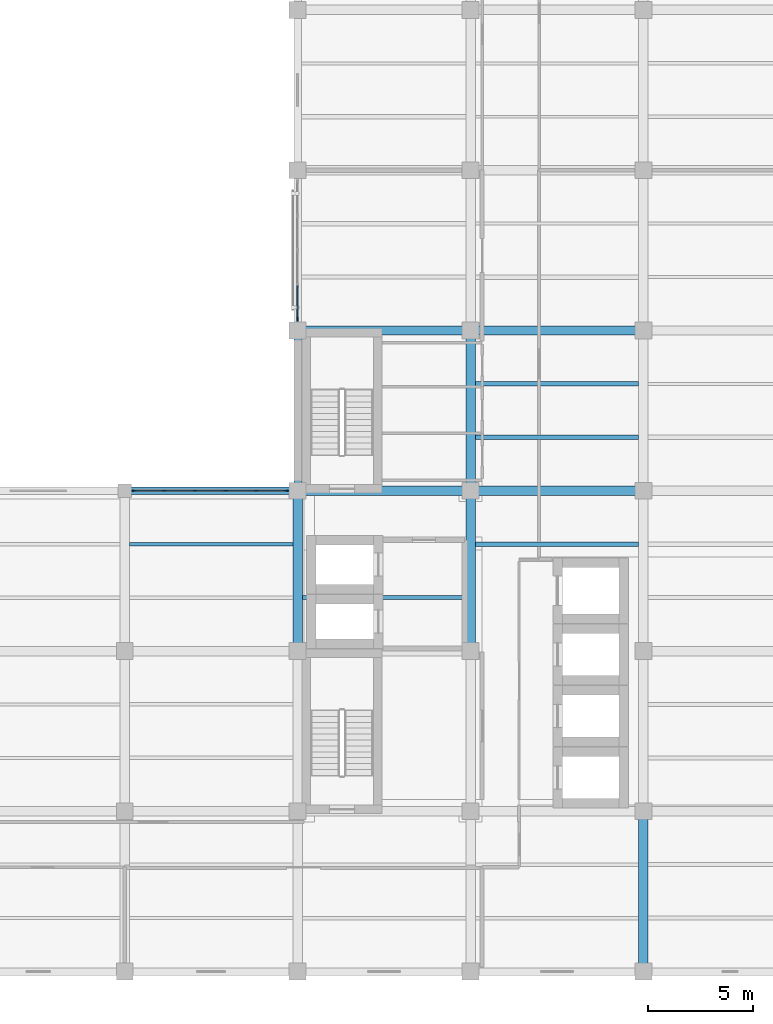
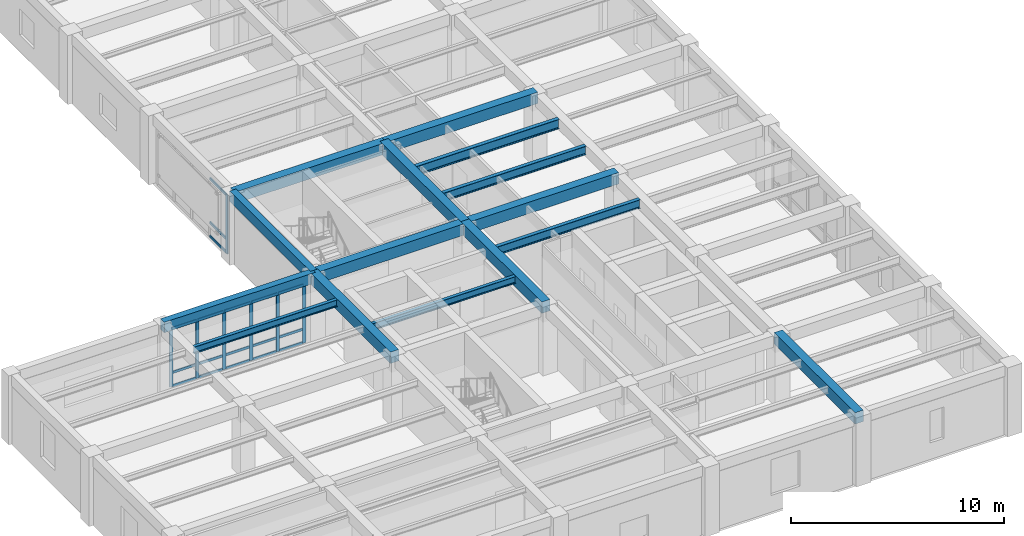
# One storey, part 2 of 13: 25 members, 15 beams, 2 elements without a shape of their own.
"""IFC4 building model written with IfcOpenShell, lengths in metres."""

import ifcopenshell
import ifcopenshell.guid

model = None  # the IFC model being written
_history = None  # IfcOwnerHistory: only IFC2X3 demands one
_inside = {}  # id of a spatial element -> (the spatial element, [elements in it])
_under = {}  # id of a project, library or spatial element -> (it, [spatial elements below it])
_declared = {}  # id of a project -> (the project, [libraries it declares])
_typed = {}  # id of a type object -> (the type object, [elements of that type])
_made_of = {}  # id of a material, layer set ... -> (it, [elements and type objects made of it])


def new_model(schema):
    """Start an empty IFC model of exactly this schema.

    Asked for "IFC4X3", IfcOpenShell would pick the latest addendum, in which some entities
    have other attributes; the version numbers below select the first issue.
    IFC2X3 requires an IfcOwnerHistory on every rooted entity: one is made here for all.
    """
    global model, _history
    if schema == "IFC4X3":
        model = ifcopenshell.file(schema_version=(4, 3, 0, 0))
    else:
        model = ifcopenshell.file(schema=schema)
    _inside.clear()
    _under.clear()
    _declared.clear()
    _typed.clear()
    _made_of.clear()
    _history = None
    if model.schema == "IFC2X3":
        org = make("IfcOrganization", Name="unknown")
        user = make(
            "IfcPersonAndOrganization",
            ThePerson=make("IfcPerson", FamilyName="unknown"),
            TheOrganization=org,
        )
        app = make(
            "IfcApplication",
            ApplicationDeveloper=org,
            Version="unknown",
            ApplicationFullName="unknown",
            ApplicationIdentifier="unknown",
        )
        _history = make(
            "IfcOwnerHistory",
            OwningUser=user,
            OwningApplication=app,
            ChangeAction="ADDED",
            CreationDate=0,
        )
    return model


def make(cls, **values):
    """One entity of the class cls with the attributes given. An attribute that is None is left unset."""
    return model.create_entity(
        cls, **{name: value for name, value in values.items() if value is not None}
    )


def rooted(cls, **values):
    """An entity with a GlobalId (a new one), such as an element, a storey or a relation."""
    return make(cls, GlobalId=ifcopenshell.guid.new(), OwnerHistory=_history, **values)


def si_unit(unit_type, name, prefix=None):
    """IfcSIUnit, for example si_unit("LENGTHUNIT", "METRE", prefix="MILLI")."""
    return make("IfcSIUnit", UnitType=unit_type, Prefix=prefix, Name=name)


def assignment(units):
    """IfcUnitAssignment: the units of a project."""
    return None if units is None else make("IfcUnitAssignment", Units=units)


def point(xyz):
    """IfcCartesianPoint."""
    return None if xyz is None else make("IfcCartesianPoint", Coordinates=xyz)


def direction(xyz):
    """IfcDirection."""
    return None if xyz is None else make("IfcDirection", DirectionRatios=xyz)


def frame(location, z_axis=None, x_axis=None):
    """IfcAxis2Placement3D, a coordinate frame: its origin and axes. An axis left out is left unset."""
    return make(
        "IfcAxis2Placement3D",
        Location=point(location),
        Axis=direction(z_axis),
        RefDirection=direction(x_axis),
    )


def frame_2d(location, x_axis=None):
    """IfcAxis2Placement2D, a coordinate frame in the plane: its origin and x axis."""
    return make(
        "IfcAxis2Placement2D", Location=point(location), RefDirection=direction(x_axis)
    )


def origin():
    """The frame at (0, 0, 0) with its axes left unset."""
    return frame((0.0, 0.0, 0.0))


def origin_2d():
    """The frame at (0, 0) in the plane with its x axis left unset."""
    return frame_2d((0.0, 0.0))


def place(relative_to, where):
    """IfcLocalPlacement: puts the frame where relative to a parent placement (None: the world)."""
    return make(
        "IfcLocalPlacement", PlacementRelTo=relative_to, RelativePlacement=where
    )


def context(
    kind, dimensions, precision=None, world=None, true_north=None, identifier=None
):
    """IfcGeometricRepresentationContext, for example the 3D "Model" context."""
    return make(
        "IfcGeometricRepresentationContext",
        ContextIdentifier=identifier,
        ContextType=kind,
        CoordinateSpaceDimension=dimensions,
        Precision=precision,
        WorldCoordinateSystem=world,
        TrueNorth=true_north,
    )


def subcontext(parent, identifier, kind, view, scale=None):
    """IfcGeometricRepresentationSubContext, for example "Body" below "Model"."""
    return make(
        "IfcGeometricRepresentationSubContext",
        ContextIdentifier=identifier,
        ContextType=kind,
        ParentContext=parent,
        TargetScale=scale,
        TargetView=view,
    )


def project(units=None, contexts=None):
    """IfcProject with its units and contexts."""
    return rooted(
        "IfcProject",
        Name="project",
        RepresentationContexts=contexts,
        UnitsInContext=assignment(units),
    )


def spatial(cls, under=None, at=None, **own):
    """A site, building, storey or space (cls), placed at a placement, below another one or the project."""
    s = rooted(cls, ObjectPlacement=at, **own)
    if under is not None:
        _under.setdefault(under.id(), (under, []))[1].append(s)
    return s


def profile(cls, at=None, kind="AREA", **sizes):
    """A parametric profile (cls). Its sizes go by their IFC names, for example OverallWidth=200.0."""
    return make(cls, ProfileType=kind, Position=at, **sizes)


def rectangle(**sizes):
    """IfcRectangleProfileDef."""
    return profile("IfcRectangleProfileDef", **sizes)


def i_section(**sizes):
    """IfcIShapeProfileDef."""
    return profile("IfcIShapeProfileDef", **sizes)


def extrude(swept, where, along, depth):
    """IfcExtrudedAreaSolid: the profile swept, set in the frame where, extruded along a direction by depth."""
    return make(
        "IfcExtrudedAreaSolid",
        SweptArea=swept,
        Position=where,
        ExtrudedDirection=direction(along),
        Depth=depth,
    )


def shape(context_of_items, identifier, shape_type, items):
    """IfcShapeRepresentation: the items that make up one representation, for example the "Body"."""
    return make(
        "IfcShapeRepresentation",
        ContextOfItems=context_of_items,
        RepresentationIdentifier=identifier,
        RepresentationType=shape_type,
        Items=items,
    )


def material(Name=None, Category=None):
    """IfcMaterial."""
    return make("IfcMaterial", Name=Name, Category=Category)


def material_profile(
    of_material, cross_section, Name=None, Category=None, Priority=None
):
    """IfcMaterialProfile: a cross section and its material."""
    return make(
        "IfcMaterialProfile",
        Name=Name,
        Material=of_material,
        Profile=cross_section,
        Priority=Priority,
        Category=Category,
    )


def profile_set(profiles, Name=None, composite=None):
    """IfcMaterialProfileSet."""
    return make(
        "IfcMaterialProfileSet",
        Name=Name,
        MaterialProfiles=profiles,
        CompositeProfile=composite,
    )


def made_of(thing, what):
    """Note that an element or type object is made of a material, layer set ...; save() writes the relation."""
    if what is not None:
        _made_of.setdefault(what.id(), (what, []))[1].append(thing)
    return thing


def type_object(cls, material=None, **own):
    """A type object (cls), such as IfcWallType, which elements share."""
    return made_of(rooted(cls, **own), material)


def element(
    cls,
    number,
    at=None,
    inside=None,
    cuts=None,
    type_object=None,
    material=None,
    context=None,
    identifier="Body",
    shape_type=None,
    held_by="IfcProductDefinitionShape",
    body=None,
    shapes=None,
    **own,
):
    """One element of the class cls, such as IfcWall. Its Tag is "e" and its number.

    at: its placement. inside: the storey or other place that contains it. cuts: it is an
    opening in that element (IfcRelVoidsElement). A single representation is given by context,
    identifier, shape_type and body (its items); several are given by shapes. held_by: the class
    of the entity that holds the representations. save() writes the other relations.
    """
    e = rooted(cls, Tag="e%d" % number, ObjectPlacement=at, **own)
    if body is not None:
        shapes = [shape(context, identifier, shape_type, body)]
    if shapes is not None:
        e.Representation = make(held_by, Representations=shapes)
    if inside is not None:
        _inside.setdefault(inside.id(), (inside, []))[1].append(e)
    if cuts is not None:
        rooted(
            "IfcRelVoidsElement", RelatingBuildingElement=cuts, RelatedOpeningElement=e
        )
    if type_object is not None:
        _typed.setdefault(type_object.id(), (type_object, []))[1].append(e)
    return made_of(e, material)


def aggregate(whole, parts):
    """IfcRelAggregates: a whole, such as a stair, and the parts it consists of."""
    return rooted("IfcRelAggregates", RelatingObject=whole, RelatedObjects=parts)


def save(model, path):
    """Write the relations noted so far, then the file.

    IfcRelAggregates (storeys below a building ...), IfcRelContainedInSpatialStructure (elements
    in a storey), IfcRelDefinesByType, IfcRelAssociatesMaterial and IfcRelDeclares: one each for
    every whole, place, type object, material and project.
    """
    for whole, parts in _under.values():
        aggregate(whole, parts)
    for where, things in _inside.values():
        rooted(
            "IfcRelContainedInSpatialStructure",
            RelatedElements=things,
            RelatingStructure=where,
        )
    for kind, things in _typed.values():
        rooted("IfcRelDefinesByType", RelatedObjects=things, RelatingType=kind)
    for what, things in _made_of.values():
        rooted("IfcRelAssociatesMaterial", RelatedObjects=things, RelatingMaterial=what)
    for by, libraries in _declared.values():
        rooted("IfcRelDeclares", RelatingContext=by, RelatedDefinitions=libraries)
    model.write(path)


model = new_model("IFC4")

# Units and contexts
model_context = context("Model", 3, precision=1e-05, world=origin(), true_north=direction((0.0, 1.0)))
body_context = subcontext(model_context, "Body", "Model", "MODEL_VIEW")
ifc_project = project(units=[si_unit("LENGTHUNIT", "METRE"), si_unit("AREAUNIT", "SQUARE_METRE"), si_unit("VOLUMEUNIT", "CUBIC_METRE"), si_unit("PLANEANGLEUNIT", "RADIAN"), si_unit("MASSUNIT", "GRAM", prefix="KILO")], contexts=[model_context])

# Site, building, storey
site_placement = place(None, origin())
site = spatial("IfcSite", under=ifc_project, at=site_placement, CompositionType="ELEMENT")
building_placement = place(site_placement, origin())
building = spatial("IfcBuilding", under=site, at=building_placement, Name="Qandaris Square Conservatory and Botanical Centre", CompositionType="ELEMENT")
storey_placement = place(building_placement, frame((0.0, 0.0, 45.0)))
storey = spatial("IfcBuildingStorey", under=building, at=storey_placement, Name="L10", CompositionType="ELEMENT", Elevation=45.0)

# Beams
ifc_material_1 = material(Name="Steel S355", Category="steel")
ifc_material_profile_1 = material_profile(ifc_material_1, i_section(OverallWidth=0.199951171875, OverallDepth=0.5, WebThickness=0.01025390625, FlangeThickness=0.01611328125, FilletRadius=0.02099609375, at=origin_2d()), Name="IPE 500")
ifc_profile_set_1 = profile_set([ifc_material_profile_1], Name="Steel S355")
beam_type_1 = type_object("IfcBeamType", Name="Composite Gallery Joist IPE 500", PredefinedType="JOIST", material=ifc_profile_set_1)
for number, where, z_axis, x_axis, name in (
    (1, (147.625, 36.86669921875, 3.68994140625), (1.0, 0.0, 0.0), (0.0, 1.0, 0.0), "L10 Composite Joist 2520"),
    (2, (147.625, 41.933349609375, 3.68994140625), (1.0, 0.0, 0.0), (0.0, 1.0, 0.0), "L10 Composite Joist 2521"),
):
    element("IfcBeam", number, at=place(storey_placement, frame(where, z_axis=z_axis, x_axis=x_axis)), inside=storey, type_object=beam_type_1, Name=name, PredefinedType="JOIST", context=body_context, shape_type="SweptSolid", body=[
        extrude(i_section(OverallWidth=0.199951171875, OverallDepth=0.5, WebThickness=0.01025390625, FlangeThickness=0.01611328125, FilletRadius=0.02099609375, at=origin_2d()), origin(), (0.0, 0.0, 1.0), 7.75),
    ])
ifc_material_profile_2 = material_profile(ifc_material_1, i_section(OverallWidth=0.179931640625, OverallDepth=0.39990234375, WebThickness=0.008544921875, FlangeThickness=0.013427734375, FilletRadius=0.02099609375, at=origin_2d()), Name="IPE 400")
ifc_profile_set_2 = profile_set([ifc_material_profile_2], Name="Steel S355")
beam_type_2 = type_object("IfcBeamType", Name="Composite Plinth Joist IPE 400", PredefinedType="JOIST", material=ifc_profile_set_2)
for number, where, z_axis, x_axis, name in (
    (3, (131.22509765625, 36.86669921875, 3.739990234375), (1.0, 0.0, 0.0), (0.0, 1.0, 0.0), "L10 Composite Joist 2508"),
    (4, (139.425048828125, 34.333251953125, 3.739990234375), (1.0, 0.0, 0.0), (0.0, 1.0, 0.0), "L10 Composite Joist 2511"),
):
    element("IfcBeam", number, at=place(storey_placement, frame(where, z_axis=z_axis, x_axis=x_axis)), inside=storey, type_object=beam_type_2, Name=name, PredefinedType="JOIST", context=body_context, shape_type="SweptSolid", body=[
        extrude(i_section(OverallWidth=0.179931640625, OverallDepth=0.39990234375, WebThickness=0.008544921875, FlangeThickness=0.013427734375, FilletRadius=0.02099609375, at=origin_2d()), origin(), (0.0, 0.0, 1.0), 7.75),
    ])

# Curtain wall, member
ifc_material_2 = material(Name="Anodised Aluminium", Category="aluminium")
curtain_wall_type_1 = type_object("IfcCurtainWallType", Name="Unitised Curtain Wall CW-4-660x335", PredefinedType="USERDEFINED", material=ifc_material_2)
curtain_wall_1_placement = place(storey_placement, origin())
curtain_wall_1 = element("IfcCurtainWall", 5, at=curtain_wall_1_placement, inside=storey, type_object=curtain_wall_type_1, Name="Curtain Wall CW-TWR-L10-4-3", ObjectType="GLAZED CURTAIN WALL", PredefinedType="USERDEFINED")
ifc_material_profile_3 = material_profile(ifc_material_2, rectangle(XDim=0.06494140625, YDim=0.179931640625, at=origin_2d()), Name="ALU-MUL 65x180")
ifc_profile_set_3 = profile_set([ifc_material_profile_3], Name="Anodised Aluminium")
member_type_1 = type_object("IfcMemberType", Name="Curtain Wall Mullion 65x180", PredefinedType="MULLION", material=ifc_profile_set_3)
member_1_placement = place(storey_placement, frame((139.199951171875, 47.532470703125, 0.0), z_axis=(0.0, 0.0, 1.0), x_axis=(1.0, 0.0, 0.0)))
member_1 = element("IfcMember", 6, at=member_1_placement, type_object=member_type_1, Name="CW-4-660x335 mullion 5", PredefinedType="MULLION", context=body_context, shape_type="SweptSolid", body=[
    extrude(rectangle(XDim=0.06494140625, YDim=0.179931640625, at=origin_2d()), origin(), (0.0, 0.0, 1.0), 3.35009765625),
])

# Curtain wall, members
curtain_wall_type_2 = type_object("IfcCurtainWallType", Name="Unitised Curtain Wall CW-4-727x335", PredefinedType="USERDEFINED", material=ifc_material_2)
curtain_wall_2_placement = place(storey_placement, origin())
curtain_wall_2 = element("IfcCurtainWall", 7, at=curtain_wall_2_placement, inside=storey, type_object=curtain_wall_type_2, Name="Curtain Wall CW-TWR-L10-5-1", ObjectType="GLAZED CURTAIN WALL", PredefinedType="USERDEFINED")
member_2_placement = place(storey_placement, frame((138.66748046875, 39.39990234375, 0.0), z_axis=(0.0, 0.0, 1.0), x_axis=(0.0, -1.0, 0.0)))
member_2 = element("IfcMember", 8, at=member_2_placement, type_object=member_type_1, Name="CW-4-727x335 mullion 1", PredefinedType="MULLION", context=body_context, shape_type="SweptSolid", body=[
    extrude(rectangle(XDim=0.06494140625, YDim=0.179931640625, at=origin_2d()), origin(), (0.0, 0.0, 1.0), 3.35009765625),
])
member_3_placement = place(storey_placement, frame((137.2451171875, 39.39990234375, 0.0), z_axis=(0.0, 0.0, 1.0), x_axis=(0.0, -1.0, 0.0)))
member_3 = element("IfcMember", 9, at=member_3_placement, type_object=member_type_1, Name="CW-4-727x335 mullion 2", PredefinedType="MULLION", context=body_context, shape_type="SweptSolid", body=[
    extrude(rectangle(XDim=0.06494140625, YDim=0.179931640625, at=origin_2d()), origin(), (0.0, 0.0, 1.0), 3.35009765625),
])
member_4_placement = place(storey_placement, frame((135.7900390625, 39.39990234375, 0.0), z_axis=(0.0, 0.0, 1.0), x_axis=(0.0, -1.0, 0.0)))
member_4 = element("IfcMember", 10, at=member_4_placement, type_object=member_type_1, Name="CW-4-727x335 mullion 3", PredefinedType="MULLION", context=body_context, shape_type="SweptSolid", body=[
    extrude(rectangle(XDim=0.06494140625, YDim=0.179931640625, at=origin_2d()), origin(), (0.0, 0.0, 1.0), 3.35009765625),
])
member_5_placement = place(storey_placement, frame((134.3349609375, 39.39990234375, 0.0), z_axis=(0.0, 0.0, 1.0), x_axis=(0.0, -1.0, 0.0)))
member_5 = element("IfcMember", 11, at=member_5_placement, type_object=member_type_1, Name="CW-4-727x335 mullion 4", PredefinedType="MULLION", context=body_context, shape_type="SweptSolid", body=[
    extrude(rectangle(XDim=0.06494140625, YDim=0.179931640625, at=origin_2d()), origin(), (0.0, 0.0, 1.0), 3.35009765625),
])
member_6_placement = place(storey_placement, frame((132.8798828125, 39.39990234375, 0.0), z_axis=(0.0, 0.0, 1.0), x_axis=(0.0, -1.0, 0.0)))
member_6 = element("IfcMember", 12, at=member_6_placement, type_object=member_type_1, Name="CW-4-727x335 mullion 5", PredefinedType="MULLION", context=body_context, shape_type="SweptSolid", body=[
    extrude(rectangle(XDim=0.06494140625, YDim=0.179931640625, at=origin_2d()), origin(), (0.0, 0.0, 1.0), 3.35009765625),
])
member_7_placement = place(storey_placement, frame((131.45751953125, 39.39990234375, 0.0), z_axis=(0.0, 0.0, 1.0), x_axis=(0.0, -1.0, 0.0)))
member_7 = element("IfcMember", 13, at=member_7_placement, type_object=member_type_1, Name="CW-4-727x335 mullion 6", PredefinedType="MULLION", context=body_context, shape_type="SweptSolid", body=[
    extrude(rectangle(XDim=0.06494140625, YDim=0.179931640625, at=origin_2d()), origin(), (0.0, 0.0, 1.0), 3.35009765625),
])

# Member
ifc_material_profile_4 = material_profile(ifc_material_2, rectangle(XDim=0.06494140625, YDim=0.139892578125, at=origin_2d()), Name="ALU-TRN 65x140")
ifc_profile_set_4 = profile_set([ifc_material_profile_4], Name="Anodised Aluminium")
member_type_2 = type_object("IfcMemberType", Name="Curtain Wall Transom 65x140", PredefinedType="USERDEFINED", material=ifc_profile_set_4)
member_8_placement = place(storey_placement, frame((139.199951171875, 49.117431640625, 0.032470703125), z_axis=(0.0, -1.0, 0.0), x_axis=(1.0, 0.0, 0.0)))
member_8 = element("IfcMember", 14, at=member_8_placement, type_object=member_type_2, Name="CW-4-660x335 transom 4.1", ObjectType="TRANSOM", PredefinedType="USERDEFINED", context=body_context, shape_type="SweptSolid", body=[
    extrude(rectangle(XDim=0.06494140625, YDim=0.139892578125, at=origin_2d()), origin(), (0.0, 0.0, 1.0), 1.552490234375),
])

member_9_placement = place(storey_placement, frame((139.199951171875, 49.117431640625, 0.803955078125), z_axis=(0.0, -1.0, 0.0), x_axis=(1.0, 0.0, 0.0)))
member_9 = element("IfcMember", 15, at=member_9_placement, type_object=member_type_2, Name="CW-4-660x335 transom 4.2", ObjectType="TRANSOM", PredefinedType="USERDEFINED", context=body_context, shape_type="SweptSolid", body=[
    extrude(rectangle(XDim=0.06494140625, YDim=0.139892578125, at=origin_2d()), origin(), (0.0, 0.0, 1.0), 1.552490234375),
])

member_10_placement = place(storey_placement, frame((139.199951171875, 49.117431640625, 3.3173828125), z_axis=(0.0, -1.0, 0.0), x_axis=(1.0, 0.0, 0.0)))
member_10 = element("IfcMember", 16, at=member_10_placement, type_object=member_type_2, Name="CW-4-660x335 transom 4.3", ObjectType="TRANSOM", PredefinedType="USERDEFINED", context=body_context, shape_type="SweptSolid", body=[
    extrude(rectangle(XDim=0.06494140625, YDim=0.139892578125, at=origin_2d()), origin(), (0.0, 0.0, 1.0), 1.552490234375),
])

aggregate(curtain_wall_1, [member_1, member_8, member_9, member_10])

member_11_placement = place(storey_placement, frame((138.635009765625, 39.39990234375, 0.032470703125), z_axis=(-1.0, 0.0, 0.0), x_axis=(0.0, -1.0, 0.0)))
member_11 = element("IfcMember", 17, at=member_11_placement, type_object=member_type_2, Name="CW-4-727x335 transom 1.1", ObjectType="TRANSOM", PredefinedType="USERDEFINED", context=body_context, shape_type="SweptSolid", body=[
    extrude(rectangle(XDim=0.06494140625, YDim=0.139892578125, at=origin_2d()), origin(), (0.0, 0.0, 1.0), 1.357421875),
])

member_12_placement = place(storey_placement, frame((138.635009765625, 39.39990234375, 0.803955078125), z_axis=(-1.0, 0.0, 0.0), x_axis=(0.0, -1.0, 0.0)))
member_12 = element("IfcMember", 18, at=member_12_placement, type_object=member_type_2, Name="CW-4-727x335 transom 1.2", ObjectType="TRANSOM", PredefinedType="USERDEFINED", context=body_context, shape_type="SweptSolid", body=[
    extrude(rectangle(XDim=0.06494140625, YDim=0.139892578125, at=origin_2d()), origin(), (0.0, 0.0, 1.0), 1.357421875),
])

member_13_placement = place(storey_placement, frame((138.635009765625, 39.39990234375, 3.3173828125), z_axis=(-1.0, 0.0, 0.0), x_axis=(0.0, -1.0, 0.0)))
member_13 = element("IfcMember", 19, at=member_13_placement, type_object=member_type_2, Name="CW-4-727x335 transom 1.3", ObjectType="TRANSOM", PredefinedType="USERDEFINED", context=body_context, shape_type="SweptSolid", body=[
    extrude(rectangle(XDim=0.06494140625, YDim=0.139892578125, at=origin_2d()), origin(), (0.0, 0.0, 1.0), 1.357421875),
])

member_14_placement = place(storey_placement, frame((137.21240234375, 39.39990234375, 0.032470703125), z_axis=(-1.0, 0.0, 0.0), x_axis=(0.0, -1.0, 0.0)))
member_14 = element("IfcMember", 20, at=member_14_placement, type_object=member_type_2, Name="CW-4-727x335 transom 2.1", ObjectType="TRANSOM", PredefinedType="USERDEFINED", context=body_context, shape_type="SweptSolid", body=[
    extrude(rectangle(XDim=0.06494140625, YDim=0.139892578125, at=origin_2d()), origin(), (0.0, 0.0, 1.0), 1.389892578125),
])

member_15_placement = place(storey_placement, frame((137.21240234375, 39.39990234375, 0.803955078125), z_axis=(-1.0, 0.0, 0.0), x_axis=(0.0, -1.0, 0.0)))
member_15 = element("IfcMember", 21, at=member_15_placement, type_object=member_type_2, Name="CW-4-727x335 transom 2.2", ObjectType="TRANSOM", PredefinedType="USERDEFINED", context=body_context, shape_type="SweptSolid", body=[
    extrude(rectangle(XDim=0.06494140625, YDim=0.139892578125, at=origin_2d()), origin(), (0.0, 0.0, 1.0), 1.389892578125),
])

member_16_placement = place(storey_placement, frame((137.21240234375, 39.39990234375, 3.3173828125), z_axis=(-1.0, 0.0, 0.0), x_axis=(0.0, -1.0, 0.0)))
member_16 = element("IfcMember", 22, at=member_16_placement, type_object=member_type_2, Name="CW-4-727x335 transom 2.3", ObjectType="TRANSOM", PredefinedType="USERDEFINED", context=body_context, shape_type="SweptSolid", body=[
    extrude(rectangle(XDim=0.06494140625, YDim=0.139892578125, at=origin_2d()), origin(), (0.0, 0.0, 1.0), 1.389892578125),
])

member_17_placement = place(storey_placement, frame((135.757568359375, 39.39990234375, 0.032470703125), z_axis=(-1.0, 0.0, 0.0), x_axis=(0.0, -1.0, 0.0)))
member_17 = element("IfcMember", 23, at=member_17_placement, type_object=member_type_2, Name="CW-4-727x335 transom 3.1", ObjectType="TRANSOM", PredefinedType="USERDEFINED", context=body_context, shape_type="SweptSolid", body=[
    extrude(rectangle(XDim=0.06494140625, YDim=0.139892578125, at=origin_2d()), origin(), (0.0, 0.0, 1.0), 1.39013671875),
])

member_18_placement = place(storey_placement, frame((135.757568359375, 39.39990234375, 0.803955078125), z_axis=(-1.0, 0.0, 0.0), x_axis=(0.0, -1.0, 0.0)))
member_18 = element("IfcMember", 24, at=member_18_placement, type_object=member_type_2, Name="CW-4-727x335 transom 3.2", ObjectType="TRANSOM", PredefinedType="USERDEFINED", context=body_context, shape_type="SweptSolid", body=[
    extrude(rectangle(XDim=0.06494140625, YDim=0.139892578125, at=origin_2d()), origin(), (0.0, 0.0, 1.0), 1.39013671875),
])

member_19_placement = place(storey_placement, frame((135.757568359375, 39.39990234375, 3.3173828125), z_axis=(-1.0, 0.0, 0.0), x_axis=(0.0, -1.0, 0.0)))
member_19 = element("IfcMember", 25, at=member_19_placement, type_object=member_type_2, Name="CW-4-727x335 transom 3.3", ObjectType="TRANSOM", PredefinedType="USERDEFINED", context=body_context, shape_type="SweptSolid", body=[
    extrude(rectangle(XDim=0.06494140625, YDim=0.139892578125, at=origin_2d()), origin(), (0.0, 0.0, 1.0), 1.39013671875),
])

member_20_placement = place(storey_placement, frame((134.302490234375, 39.39990234375, 0.032470703125), z_axis=(-1.0, 0.0, 0.0), x_axis=(0.0, -1.0, 0.0)))
member_20 = element("IfcMember", 26, at=member_20_placement, type_object=member_type_2, Name="CW-4-727x335 transom 4.1", ObjectType="TRANSOM", PredefinedType="USERDEFINED", context=body_context, shape_type="SweptSolid", body=[
    extrude(rectangle(XDim=0.06494140625, YDim=0.139892578125, at=origin_2d()), origin(), (0.0, 0.0, 1.0), 1.389892578125),
])

member_21_placement = place(storey_placement, frame((134.302490234375, 39.39990234375, 0.803955078125), z_axis=(-1.0, 0.0, 0.0), x_axis=(0.0, -1.0, 0.0)))
member_21 = element("IfcMember", 27, at=member_21_placement, type_object=member_type_2, Name="CW-4-727x335 transom 4.2", ObjectType="TRANSOM", PredefinedType="USERDEFINED", context=body_context, shape_type="SweptSolid", body=[
    extrude(rectangle(XDim=0.06494140625, YDim=0.139892578125, at=origin_2d()), origin(), (0.0, 0.0, 1.0), 1.389892578125),
])

member_22_placement = place(storey_placement, frame((134.302490234375, 39.39990234375, 3.3173828125), z_axis=(-1.0, 0.0, 0.0), x_axis=(0.0, -1.0, 0.0)))
member_22 = element("IfcMember", 28, at=member_22_placement, type_object=member_type_2, Name="CW-4-727x335 transom 4.3", ObjectType="TRANSOM", PredefinedType="USERDEFINED", context=body_context, shape_type="SweptSolid", body=[
    extrude(rectangle(XDim=0.06494140625, YDim=0.139892578125, at=origin_2d()), origin(), (0.0, 0.0, 1.0), 1.389892578125),
])

member_23_placement = place(storey_placement, frame((132.847412109375, 39.39990234375, 0.032470703125), z_axis=(-1.0, 0.0, 0.0), x_axis=(0.0, -1.0, 0.0)))
member_23 = element("IfcMember", 29, at=member_23_placement, type_object=member_type_2, Name="CW-4-727x335 transom 5.1", ObjectType="TRANSOM", PredefinedType="USERDEFINED", context=body_context, shape_type="SweptSolid", body=[
    extrude(rectangle(XDim=0.06494140625, YDim=0.139892578125, at=origin_2d()), origin(), (0.0, 0.0, 1.0), 1.357421875),
])

member_24_placement = place(storey_placement, frame((132.847412109375, 39.39990234375, 0.803955078125), z_axis=(-1.0, 0.0, 0.0), x_axis=(0.0, -1.0, 0.0)))
member_24 = element("IfcMember", 30, at=member_24_placement, type_object=member_type_2, Name="CW-4-727x335 transom 5.2", ObjectType="TRANSOM", PredefinedType="USERDEFINED", context=body_context, shape_type="SweptSolid", body=[
    extrude(rectangle(XDim=0.06494140625, YDim=0.139892578125, at=origin_2d()), origin(), (0.0, 0.0, 1.0), 1.357421875),
])

member_25_placement = place(storey_placement, frame((132.847412109375, 39.39990234375, 3.3173828125), z_axis=(-1.0, 0.0, 0.0), x_axis=(0.0, -1.0, 0.0)))
member_25 = element("IfcMember", 31, at=member_25_placement, type_object=member_type_2, Name="CW-4-727x335 transom 5.3", ObjectType="TRANSOM", PredefinedType="USERDEFINED", context=body_context, shape_type="SweptSolid", body=[
    extrude(rectangle(XDim=0.06494140625, YDim=0.139892578125, at=origin_2d()), origin(), (0.0, 0.0, 1.0), 1.357421875),
])

aggregate(curtain_wall_2, [member_2, member_3, member_4, member_5, member_6, member_7, member_11, member_12, member_13, member_14, member_15, member_16, member_17, member_18, member_19, member_20, member_21, member_22, member_23, member_24, member_25])

# Beams
ifc_material_profile_5 = material_profile(ifc_material_1, i_section(OverallWidth=0.2099609375, OverallDepth=0.550048828125, WebThickness=0.010986328125, FlangeThickness=0.01708984375, FilletRadius=0.02392578125, at=origin_2d()), Name="IPE 550")
ifc_profile_set_5 = profile_set([ifc_material_profile_5], Name="Steel S355")
beam_type_3 = type_object("IfcBeamType", Name="Long-Span Foyer Joist IPE 550", PredefinedType="JOIST", material=ifc_profile_set_5)
beam_1_placement = place(storey_placement, frame((147.625, 44.466796875, 3.6650390625), z_axis=(1.0, 0.0, 0.0), x_axis=(0.0, 1.0, 0.0)))
element("IfcBeam", 32, at=beam_1_placement, inside=storey, type_object=beam_type_3, Name="L10 Composite Joist 2522", PredefinedType="JOIST", context=body_context, shape_type="SweptSolid", body=[
    extrude(i_section(OverallWidth=0.2099609375, OverallDepth=0.550048828125, WebThickness=0.010986328125, FlangeThickness=0.01708984375, FilletRadius=0.02392578125, at=origin_2d()), origin(), (0.0, 0.0, 1.0), 7.75),
])
ifc_material_3 = material(Name="Concrete C50/60", Category="concrete")
ifc_material_profile_6 = material_profile(ifc_material_3, rectangle(XDim=0.35009765625, YDim=0.60009765625, at=origin_2d()), Name="RC-SP 350x600")
ifc_profile_set_6 = profile_set([ifc_material_profile_6], Name="Concrete C50/60")
beam_type_4 = type_object("IfcBeamType", Name="RC Edge Spandrel Beam 350x600", PredefinedType="SPANDREL", material=ifc_profile_set_6)
beam_2_placement = place(storey_placement, frame((131.0, 39.39990234375, 3.64990234375), z_axis=(1.0, 0.0, 0.0), x_axis=(0.0, 1.0, 0.0)))
element("IfcBeam", 33, at=beam_2_placement, inside=storey, type_object=beam_type_4, Name="L10 Frame Beam 2447", PredefinedType="SPANDREL", context=body_context, shape_type="SweptSolid", body=[
    extrude(rectangle(XDim=0.35009765625, YDim=0.60009765625, at=origin_2d()), origin(), (0.0, 0.0, 1.0), 8.199951171875),
])
beam_3_placement = place(storey_placement, frame((139.199951171875, 39.39990234375, 3.64990234375), z_axis=(0.0, 1.0, 0.0), x_axis=(-1.0, 0.0, 0.0)))
element("IfcBeam", 34, at=beam_3_placement, inside=storey, type_object=beam_type_4, Name="L10 Frame Beam 2472", PredefinedType="SPANDREL", context=body_context, shape_type="SweptSolid", body=[
    extrude(rectangle(XDim=0.35009765625, YDim=0.60009765625, at=origin_2d()), origin(), (0.0, 0.0, 1.0), 7.60009765625),
])
ifc_material_profile_7 = material_profile(ifc_material_3, rectangle(XDim=0.449951171875, YDim=0.64990234375, at=origin_2d()), Name="RC-BM 450x650")
ifc_profile_set_7 = profile_set([ifc_material_profile_7], Name="Concrete C50/60")
beam_type_5 = type_object("IfcBeamType", Name="RC Floor Girder 450x650", PredefinedType="BEAM", material=ifc_profile_set_7)
beam_4_placement = place(storey_placement, frame((139.199951171875, 39.39990234375, 3.625), z_axis=(1.0, 0.0, 0.0), x_axis=(0.0, 1.0, 0.0)))
element("IfcBeam", 35, at=beam_4_placement, inside=storey, type_object=beam_type_5, Name="L10 Frame Beam 2448", PredefinedType="BEAM", context=body_context, shape_type="SweptSolid", body=[
    extrude(rectangle(XDim=0.449951171875, YDim=0.64990234375, at=origin_2d()), origin(), (0.0, 0.0, 1.0), 8.199951171875),
])
beam_5_placement = place(storey_placement, frame((147.39990234375, 39.39990234375, 3.625), z_axis=(1.0, 0.0, 0.0), x_axis=(0.0, 1.0, 0.0)))
element("IfcBeam", 36, at=beam_5_placement, inside=storey, type_object=beam_type_5, Name="L10 Frame Beam 2449", PredefinedType="BEAM", context=body_context, shape_type="SweptSolid", body=[
    extrude(rectangle(XDim=0.449951171875, YDim=0.64990234375, at=origin_2d()), origin(), (0.0, 0.0, 1.0), 8.2001953125),
])
beam_6_placement = place(storey_placement, frame((139.199951171875, 47.0, 3.625), z_axis=(1.0, 0.0, 0.0), x_axis=(0.0, 1.0, 0.0)))
element("IfcBeam", 37, at=beam_6_placement, inside=storey, type_object=beam_type_5, Name="L10 Frame Beam 2451", PredefinedType="BEAM", context=body_context, shape_type="SweptSolid", body=[
    extrude(rectangle(XDim=0.449951171875, YDim=0.64990234375, at=origin_2d()), origin(), (0.0, 0.0, 1.0), 8.199951171875),
])
beam_7_placement = place(storey_placement, frame((147.39990234375, 47.0, 3.625), z_axis=(1.0, 0.0, 0.0), x_axis=(0.0, 1.0, 0.0)))
element("IfcBeam", 38, at=beam_7_placement, inside=storey, type_object=beam_type_5, Name="L10 Frame Beam 2452", PredefinedType="BEAM", context=body_context, shape_type="SweptSolid", body=[
    extrude(rectangle(XDim=0.449951171875, YDim=0.64990234375, at=origin_2d()), origin(), (0.0, 0.0, 1.0), 8.2001953125),
])
for number, where, z_axis, x_axis, name in (
    (39, (139.199951171875, 31.800048828125, 3.625), (0.0, 1.0, 0.0), (-1.0, 0.0, 0.0), "L10 Frame Beam 2471"),
    (40, (147.39990234375, 31.800048828125, 3.625), (0.0, 1.0, 0.0), (-1.0, 0.0, 0.0), "L10 Frame Beam 2478"),
):
    element("IfcBeam", number, at=place(storey_placement, frame(where, z_axis=z_axis, x_axis=x_axis)), inside=storey, type_object=beam_type_5, Name=name, PredefinedType="BEAM", context=body_context, shape_type="SweptSolid", body=[
        extrude(rectangle(XDim=0.449951171875, YDim=0.64990234375, at=origin_2d()), origin(), (0.0, 0.0, 1.0), 7.599853515625),
    ])
beam_8_placement = place(storey_placement, frame((147.39990234375, 39.39990234375, 3.625), z_axis=(0.0, 1.0, 0.0), x_axis=(-1.0, 0.0, 0.0)))
element("IfcBeam", 41, at=beam_8_placement, inside=storey, type_object=beam_type_5, Name="L10 Frame Beam 2479", PredefinedType="BEAM", context=body_context, shape_type="SweptSolid", body=[
    extrude(rectangle(XDim=0.449951171875, YDim=0.64990234375, at=origin_2d()), origin(), (0.0, 0.0, 1.0), 7.60009765625),
])
beam_9_placement = place(storey_placement, frame((155.60009765625, 16.60009765625, 3.625), z_axis=(0.0, 1.0, 0.0), x_axis=(-1.0, 0.0, 0.0)))
element("IfcBeam", 42, at=beam_9_placement, inside=storey, type_object=beam_type_5, Name="L10 Frame Beam 2483", PredefinedType="BEAM", context=body_context, shape_type="SweptSolid", body=[
    extrude(rectangle(XDim=0.449951171875, YDim=0.64990234375, at=origin_2d()), origin(), (0.0, 0.0, 1.0), 7.599853515625),
])

save(model, "model.ifc")
